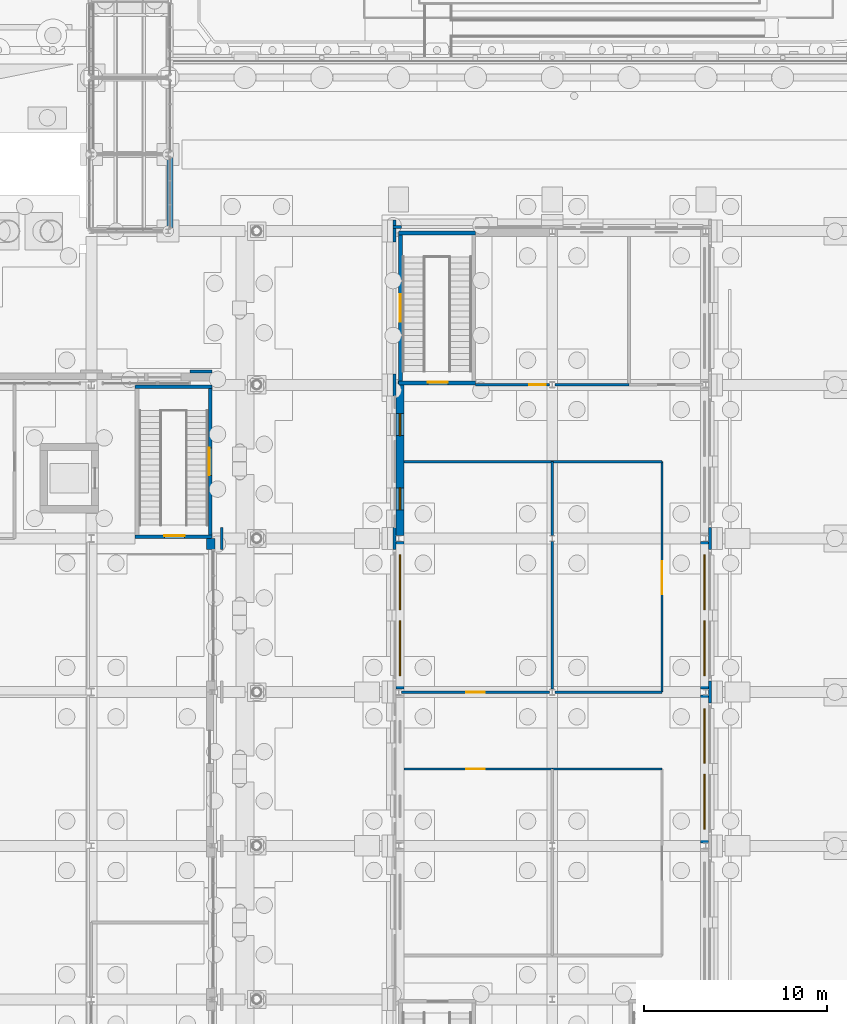
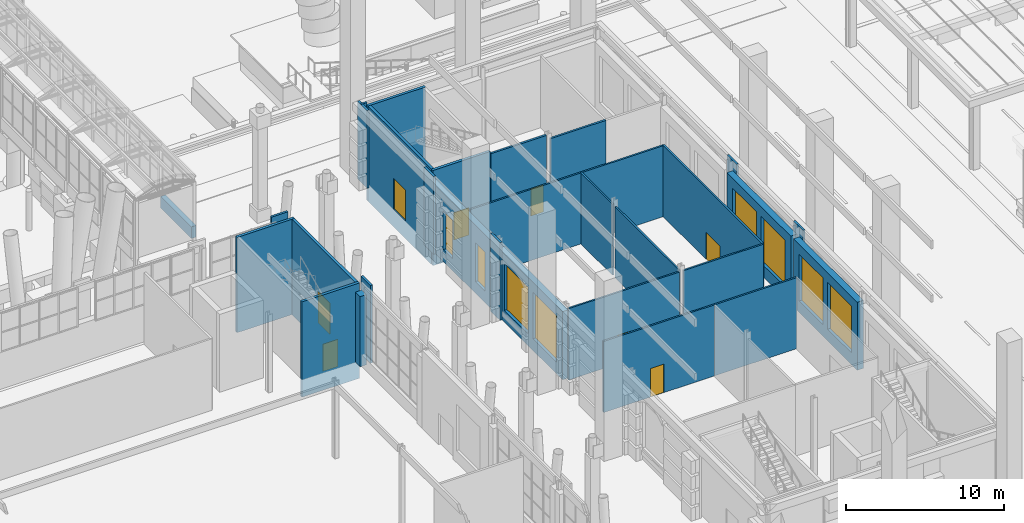
# One storey, part 97 of 222: 31 walls, 8 doors, 8 windows, 16 openings.
"""IFC4 building model written with IfcOpenShell, lengths in metres."""

from ifc_helpers import new_model, si_unit, direction, frame, frame_2d, origin, place, context, subcontext, project, spatial, rectangle, extrude, material, layer, layer_set, type_object, element, fill, save


model = new_model("IFC4")

# Units and contexts
model_context = context("Model", 3, precision=1e-05, world=origin(), true_north=direction((0.0, 1.0)))
body_context = subcontext(model_context, "Body", "Model", "MODEL_VIEW")
ifc_project = project(units=[si_unit("LENGTHUNIT", "METRE"), si_unit("AREAUNIT", "SQUARE_METRE"), si_unit("VOLUMEUNIT", "CUBIC_METRE"), si_unit("PLANEANGLEUNIT", "RADIAN"), si_unit("MASSUNIT", "GRAM", prefix="KILO")], contexts=[model_context])

# Site, building, storey
site_placement = place(None, origin())
site = spatial("IfcSite", under=ifc_project, at=site_placement, CompositionType="ELEMENT")
building_placement = place(site_placement, origin())
building = spatial("IfcBuilding", under=site, at=building_placement, Name="Sava Quay Ferry Terminal", CompositionType="ELEMENT")
storey_placement = place(building_placement, origin())
storey = spatial("IfcBuildingStorey", under=building, at=storey_placement, Name="L00", CompositionType="ELEMENT", Elevation=0.0)

# Walls
ifc_material_1 = material(Name="Limestone Mutalj", Category="masonry")
ifc_layer_1 = layer(ifc_material_1, 0.35009765625)
ifc_layer_set_1 = layer_set([ifc_layer_1], Name="Limestone Mutalj")
wall_type_1 = type_object("IfcWallType", Name="Limestone kerb and parapet 350", PredefinedType="SOLIDWALL", material=ifc_layer_set_1)
wall_1_placement = place(storey_placement, frame((79.89990234375, 109.35009765625, 0.0), z_axis=(0.0, 0.0, 1.0), x_axis=(0.0, 1.0, 0.0)))
element("IfcWall", 1, at=wall_1_placement, inside=storey, type_object=wall_type_1, Name="Gallery kerb", PredefinedType="SOLIDWALL", context=body_context, shape_type="SweptSolid", body=[
    extrude(rectangle(XDim=3.89990234375, YDim=0.35009765625, at=frame_2d((1.949951171875, 0.0))), origin(), (0.0, 0.0, 1.0), 0.89990234375),
])
ifc_material_2 = material(Name="Limestone Mutalj", Category="masonry")
ifc_layer_2 = layer(ifc_material_2, 0.14990234375)
ifc_layer_set_2 = layer_set([ifc_layer_2], Name="Limestone Mutalj")
wall_type_2 = type_object("IfcWallType", Name="Pier cladding 150", PredefinedType="SOLIDWALL", material=ifc_layer_set_2)
for number, where, z_axis, x_axis, name in (
    (2, (92.175048828125, 91.800048828125, 0.0), (0.0, 0.0, 1.0), (0.0, 1.0, 0.0), "Pier O-W grid 92.4"),
    (3, (92.175048828125, 100.199951171875, 0.0), (0.0, 0.0, 1.0), (0.0, 1.0, 0.0), "Pier O-W grid 100.8"),
    (4, (92.175048828125, 108.60009765625, 0.0), (0.0, 0.0, 1.0), (0.0, 1.0, 0.0), "Pier O-W grid 109.2"),
):
    element("IfcWall", number, at=place(storey_placement, frame(where, z_axis=z_axis, x_axis=x_axis)), inside=storey, type_object=wall_type_2, Name=name, PredefinedType="SOLIDWALL", context=body_context, shape_type="SweptSolid", body=[
        extrude(rectangle(XDim=1.199951171875, YDim=0.14990234375, at=frame_2d((0.60009765625, 0.0))), origin(), (0.0, 0.0, 1.0), 6.0),
    ])
wall_2_placement = place(storey_placement, frame((92.10009765625, 109.43505859375, 0.0), z_axis=(0.0, 0.0, 1.0), x_axis=(1.0, 0.0, 0.0)))
element("IfcWall", 5, at=wall_2_placement, inside=storey, type_object=wall_type_2, Name="Pier O-N grid 92.4", PredefinedType="SOLIDWALL", context=body_context, shape_type="SweptSolid", body=[
    extrude(rectangle(XDim=0.449951171875, YDim=0.14990234375, at=frame_2d((0.22509765625, 0.0))), origin(), (0.0, 0.0, 1.0), 6.0),
])
wall_3_placement = place(storey_placement, frame((109.425048828125, 83.39990234375, 0.0), z_axis=(0.0, 0.0, 1.0), x_axis=(0.0, 1.0, 0.0)))
element("IfcWall", 6, at=wall_3_placement, inside=storey, type_object=wall_type_2, Name="Pier O-E grid 84", PredefinedType="SOLIDWALL", context=body_context, shape_type="SweptSolid", body=[
    extrude(rectangle(XDim=1.2001953125, YDim=0.14990234375, at=frame_2d((0.60009765625, 0.0))), origin(), (0.0, 0.0, 1.0), 6.0),
])
for number, where, z_axis, x_axis, name in (
    (7, (109.425048828125, 91.800048828125, 0.0), (0.0, 0.0, 1.0), (0.0, 1.0, 0.0), "Pier O-E grid 92.4"),
    (8, (82.72509765625, 91.800048828125, 0.0), (0.0, 0.0, 1.0), (0.0, 1.0, 0.0), "External wall D"),
    (9, (81.0, 101.52490234375, 0.0), (0.0, 0.0, 1.0), (1.0, 0.0, 0.0), "Pier D-N 81.6"),
):
    element("IfcWall", number, at=place(storey_placement, frame(where, z_axis=z_axis, x_axis=x_axis)), inside=storey, type_object=wall_type_2, Name=name, PredefinedType="SOLIDWALL", context=body_context, shape_type="SweptSolid", body=[
        extrude(rectangle(XDim=1.199951171875, YDim=0.14990234375, at=frame_2d((0.60009765625, 0.0))), origin(), (0.0, 0.0, 1.0), 6.0),
    ])

# Wall, opening, door
ifc_material_3 = material(Name="Masonry blockwork", Category="masonry")
ifc_layer_3 = layer(ifc_material_3, 0.14990234375)
ifc_layer_set_3 = layer_set([ifc_layer_3], Name="Masonry blockwork")
wall_type_3 = type_object("IfcWallType", Name="Plant, store and lobby wall, blockwork 150", PredefinedType="PARTITIONING", material=ifc_layer_set_3)
wall_4_placement = place(storey_placement, frame((96.60009765625, 100.800048828125, 0.0), z_axis=(0.0, 0.0, 1.0), x_axis=(1.0, 0.0, 0.0)))
wall_4 = element("IfcWall", 10, at=wall_4_placement, inside=storey, type_object=wall_type_3, Name="Plant, store and lobby wall, blockwork 150", PredefinedType="PARTITIONING", context=body_context, shape_type="SweptSolid", body=[
    extrude(rectangle(XDim=4.0498046875, YDim=0.14990234375, at=frame_2d((2.02490234375, 0.0))), origin(), (0.0, 0.0, 1.0), 5.8701171875),
])
opening_1_placement = place(wall_4_placement, frame((2.949951171875, 0.0, 0.0)))
opening_1 = element("IfcOpeningElement", 11, at=opening_1_placement, cuts=wall_4, Name="Opening D0029", PredefinedType="OPENING", context=body_context, shape_type="SweptSolid", body=[
    extrude(rectangle(XDim=0.89990234375, YDim=2.10009765625, at=frame_2d((0.449951171875, 1.050048828125))), frame((0.0, 0.074951171875, 0.0), z_axis=(0.0, -1.0, 0.0), x_axis=(1.0, 0.0, 0.0)), (0.0, 0.0, 1.0), 0.14990234375),
])
ifc_material_4 = material(Name="Timber door set", Category="wood")
door_type_1 = type_object("IfcDoorType", Name="Single door 900 x 2100", OperationType="NOTDEFINED", PredefinedType="DOOR", material=ifc_material_4)
door_1_placement = place(opening_1_placement, origin())
door_1 = element("IfcDoor", 12, at=door_1_placement, inside=storey, type_object=door_type_1, Name="Door D0029", OperationType="SINGLE_SWING_LEFT", OverallHeight=2.10009765625, OverallWidth=0.89990234375, PredefinedType="DOOR", context=body_context, shape_type="SweptSolid", body=[
    extrude(rectangle(XDim=0.89990234375, YDim=2.10009765625, at=frame_2d((0.449951171875, 1.050048828125))), frame((0.0, 0.02490234375, 0.0), z_axis=(0.0, -1.0, 0.0), x_axis=(1.0, 0.0, 0.0)), (0.0, 0.0, 1.0), 0.050048828125),
])
fill(opening_1, door_1)

# Wall
wall_5_placement = place(storey_placement, frame((100.949951171875, 100.800048828125, 0.0), z_axis=(0.0, 0.0, 1.0), x_axis=(1.0, 0.0, 0.0)))
element("IfcWall", 13, at=wall_5_placement, inside=storey, type_object=wall_type_3, Name="Plant, store and lobby wall, blockwork 150", PredefinedType="PARTITIONING", context=body_context, shape_type="SweptSolid", body=[
    extrude(rectangle(XDim=4.050048828125, YDim=0.14990234375, at=frame_2d((2.02490234375, 0.0))), origin(), (0.0, 0.0, 1.0), 5.510009765625),
])

# Wall, opening, door
ifc_material_5 = material(Name="Concrete C35/45", Category="concrete")
ifc_layer_4 = layer(ifc_material_5, 0.199951171875)
ifc_layer_set_4 = layer_set([ifc_layer_4], Name="Concrete C35/45")
wall_type_4 = type_object("IfcWallType", Name="RC core wall 200", PredefinedType="SHEAR", material=ifc_layer_set_4)
wall_6_placement = place(storey_placement, frame((78.0, 92.5, -1.35009765625), z_axis=(0.0, 0.0, 1.0), x_axis=(1.0, 0.0, 0.0)))
wall_6 = element("IfcWall", 14, at=wall_6_placement, inside=storey, type_object=wall_type_4, Name="Core wall ST-D6 S L00", PredefinedType="SHEAR", context=body_context, shape_type="SweptSolid", body=[
    extrude(rectangle(XDim=4.199951171875, YDim=0.199951171875, at=frame_2d((2.10009765625, 0.0))), origin(), (0.0, 0.0, 1.0), 7.35009765625),
])
opening_2_placement = place(wall_6_placement, frame((1.60009765625, 0.0, 1.35009765625)))
opening_2 = element("IfcOpeningElement", 15, at=opening_2_placement, cuts=wall_6, Name="Opening DS0009", PredefinedType="OPENING", context=body_context, shape_type="SweptSolid", body=[
    extrude(rectangle(XDim=1.10009765625, YDim=2.10009765625, at=frame_2d((0.550048828125, 1.050048828125))), frame((0.0, 0.10009765625, 0.0), z_axis=(0.0, -1.0, 0.0), x_axis=(1.0, 0.0, 0.0)), (0.0, 0.0, 1.0), 0.199951171875),
])
ifc_material_6 = material(Name="Steel fire door set", Category="steel")
door_type_2 = type_object("IfcDoorType", Name="Stair fire door 1100 x 2100", OperationType="NOTDEFINED", PredefinedType="DOOR", material=ifc_material_6)
door_2_placement = place(opening_2_placement, frame((1.10009765625, 0.050048828125, 0.0), z_axis=(0.0, 0.0, 1.0), x_axis=(-1.0, 0.0, 0.0)))
door_2 = element("IfcDoor", 16, at=door_2_placement, inside=storey, type_object=door_type_2, Name="Door DS0009", OperationType="SINGLE_SWING_RIGHT", OverallHeight=2.10009765625, OverallWidth=1.10009765625, PredefinedType="DOOR", context=body_context, shape_type="SweptSolid", body=[
    extrude(rectangle(XDim=1.10009765625, YDim=2.10009765625, at=frame_2d((0.550048828125, 1.050048828125))), frame((0.0, 0.02490234375, 0.0), z_axis=(0.0, -1.0, 0.0), x_axis=(1.0, 0.0, 0.0)), (0.0, 0.0, 1.0), 0.050048828125),
])
fill(opening_2, door_2)

# Wall
wall_7_placement = place(storey_placement, frame((78.0, 100.699951171875, -1.35009765625), z_axis=(0.0, 0.0, 1.0), x_axis=(1.0, 0.0, 0.0)))
element("IfcWall", 17, at=wall_7_placement, inside=storey, type_object=wall_type_4, Name="Core wall ST-D6 N L00", PredefinedType="SHEAR", context=body_context, shape_type="SweptSolid", body=[
    extrude(rectangle(XDim=4.199951171875, YDim=0.199951171875, at=frame_2d((2.10009765625, 0.0))), origin(), (0.0, 0.0, 1.0), 7.35009765625),
])

# Wall, opening, door
wall_8_placement = place(storey_placement, frame((82.10009765625, 92.60009765625, -1.35009765625), z_axis=(0.0, 0.0, 1.0), x_axis=(0.0, 1.0, 0.0)))
wall_8 = element("IfcWall", 18, at=wall_8_placement, inside=storey, type_object=wall_type_4, Name="Core wall ST-D6 E L00", PredefinedType="SHEAR", context=body_context, shape_type="SweptSolid", body=[
    extrude(rectangle(XDim=8.0, YDim=0.199951171875, at=frame_2d((4.0, 0.0))), origin(), (0.0, 0.0, 1.0), 7.35009765625),
])
opening_3_placement = place(wall_8_placement, frame((3.25, 0.0, 1.35009765625)))
opening_3 = element("IfcOpeningElement", 19, at=opening_3_placement, cuts=wall_8, Name="Opening DX-D4", PredefinedType="OPENING", context=body_context, shape_type="SweptSolid", body=[
    extrude(rectangle(XDim=1.5, YDim=2.39990234375, at=frame_2d((0.75, 1.199951171875))), frame((0.0, 0.10009765625, 0.0), z_axis=(0.0, -1.0, 0.0), x_axis=(1.0, 0.0, 0.0)), (0.0, 0.0, 1.0), 0.199951171875),
])
ifc_material_7 = material(Name="Aluminium bronze anodised, glazing safety laminated", Category="aluminium")
door_type_3 = type_object("IfcDoorType", Name="Exit door 1500x2400", OperationType="DOUBLE_DOOR_SINGLE_SWING", PredefinedType="DOOR", material=ifc_material_7)
door_3_placement = place(opening_3_placement, frame((1.5, 0.050048828125, 0.0), z_axis=(0.0, 0.0, 1.0), x_axis=(-1.0, 0.0, 0.0)))
door_3 = element("IfcDoor", 20, at=door_3_placement, inside=storey, type_object=door_type_3, Name="Door DX-D4", OperationType="DOUBLE_DOOR_SINGLE_SWING", OverallHeight=2.39990234375, OverallWidth=1.5, PredefinedType="DOOR", context=body_context, shape_type="SweptSolid", body=[
    extrude(rectangle(XDim=1.5, YDim=2.39990234375, at=frame_2d((0.75, 1.199951171875))), frame((0.0, 0.02490234375, 0.0), z_axis=(0.0, -1.0, 0.0), x_axis=(1.0, 0.0, 0.0)), (0.0, 0.0, 1.0), 0.050048828125),
])
fill(opening_3, door_3)

wall_9_placement = place(storey_placement, frame((92.39990234375, 100.89990234375, -1.35009765625), z_axis=(0.0, 0.0, 1.0), x_axis=(1.0, 0.0, 0.0)))
wall_9 = element("IfcWall", 21, at=wall_9_placement, inside=storey, type_object=wall_type_4, Name="Core wall ST-O3 S L00", PredefinedType="SHEAR", context=body_context, shape_type="SweptSolid", body=[
    extrude(rectangle(XDim=4.2001953125, YDim=0.199951171875, at=frame_2d((2.10009765625, 0.0))), origin(), (0.0, 0.0, 1.0), 7.35009765625),
])
opening_4_placement = place(wall_9_placement, frame((1.60009765625, 0.0, 1.35009765625)))
opening_4 = element("IfcOpeningElement", 22, at=opening_4_placement, cuts=wall_9, Name="Opening DS0015", PredefinedType="OPENING", context=body_context, shape_type="SweptSolid", body=[
    extrude(rectangle(XDim=1.10009765625, YDim=2.10009765625, at=frame_2d((0.550048828125, 1.050048828125))), frame((0.0, 0.10009765625, 0.0), z_axis=(0.0, -1.0, 0.0), x_axis=(1.0, 0.0, 0.0)), (0.0, 0.0, 1.0), 0.199951171875),
])
door_4_placement = place(opening_4_placement, frame((1.10009765625, 0.050048828125, 0.0), z_axis=(0.0, 0.0, 1.0), x_axis=(-1.0, 0.0, 0.0)))
door_4 = element("IfcDoor", 23, at=door_4_placement, inside=storey, type_object=door_type_2, Name="Door DS0015", OperationType="SINGLE_SWING_RIGHT", OverallHeight=2.10009765625, OverallWidth=1.10009765625, PredefinedType="DOOR", context=body_context, shape_type="SweptSolid", body=[
    extrude(rectangle(XDim=1.10009765625, YDim=2.10009765625, at=frame_2d((0.550048828125, 1.050048828125))), frame((0.0, 0.02490234375, 0.0), z_axis=(0.0, -1.0, 0.0), x_axis=(1.0, 0.0, 0.0)), (0.0, 0.0, 1.0), 0.050048828125),
])
fill(opening_4, door_4)

# Wall
wall_10_placement = place(storey_placement, frame((92.39990234375, 109.10009765625, -1.35009765625), z_axis=(0.0, 0.0, 1.0), x_axis=(1.0, 0.0, 0.0)))
element("IfcWall", 24, at=wall_10_placement, inside=storey, type_object=wall_type_4, Name="Core wall ST-O3 N L00", PredefinedType="SHEAR", context=body_context, shape_type="SweptSolid", body=[
    extrude(rectangle(XDim=4.2001953125, YDim=0.199951171875, at=frame_2d((2.10009765625, 0.0))), origin(), (0.0, 0.0, 1.0), 7.35009765625),
])

# Wall, opening, door
wall_11_placement = place(storey_placement, frame((92.5, 101.0, -1.35009765625), z_axis=(0.0, 0.0, 1.0), x_axis=(0.0, 1.0, 0.0)))
wall_11 = element("IfcWall", 25, at=wall_11_placement, inside=storey, type_object=wall_type_4, Name="Core wall ST-O3 W L00", PredefinedType="SHEAR", context=body_context, shape_type="SweptSolid", body=[
    extrude(rectangle(XDim=8.0, YDim=0.199951171875, at=frame_2d((4.0, 0.0))), origin(), (0.0, 0.0, 1.0), 7.35009765625),
])
opening_5_placement = place(wall_11_placement, frame((3.25, 0.0, 1.35009765625)))
opening_5 = element("IfcOpeningElement", 26, at=opening_5_placement, cuts=wall_11, Name="Opening DX-O3", PredefinedType="OPENING", context=body_context, shape_type="SweptSolid", body=[
    extrude(rectangle(XDim=1.5, YDim=2.39990234375, at=frame_2d((0.75, 1.199951171875))), frame((0.0, 0.10009765625, 0.0), z_axis=(0.0, -1.0, 0.0), x_axis=(1.0, 0.0, 0.0)), (0.0, 0.0, 1.0), 0.199951171875),
])
door_5_placement = place(opening_5_placement, origin())
door_5 = element("IfcDoor", 27, at=door_5_placement, inside=storey, type_object=door_type_3, Name="Door DX-O3", OperationType="DOUBLE_DOOR_SINGLE_SWING", OverallHeight=2.39990234375, OverallWidth=1.5, PredefinedType="DOOR", context=body_context, shape_type="SweptSolid", body=[
    extrude(rectangle(XDim=1.5, YDim=2.39990234375, at=frame_2d((0.75, 1.199951171875))), frame((0.0, 0.02490234375, 0.0), z_axis=(0.0, -1.0, 0.0), x_axis=(1.0, 0.0, 0.0)), (0.0, 0.0, 1.0), 0.050048828125),
])
fill(opening_5, door_5)

ifc_material_8 = material(Name="Plasterboard on steel studs", Category="steel")
ifc_layer_5 = layer(ifc_material_8, 0.125)
ifc_layer_set_5 = layer_set([ifc_layer_5], Name="Plasterboard on steel studs")
wall_type_5 = type_object("IfcWallType", Name="Room partition, plasterboard on steel studs 125", PredefinedType="PARTITIONING", material=ifc_layer_set_5)
wall_12_placement = place(storey_placement, frame((92.700439453125, 79.800048828125, 0.0), z_axis=(0.0, 0.0, 1.0), x_axis=(1.0, 0.0, 0.0)))
wall_12 = element("IfcWall", 28, at=wall_12_placement, inside=storey, type_object=wall_type_5, Name="Room partition, plasterboard on steel studs 125", PredefinedType="PARTITIONING", context=body_context, shape_type="SweptSolid", body=[
    extrude(rectangle(XDim=8.099609375, YDim=0.125, at=frame_2d((4.0498046875, 0.0))), origin(), (0.0, 0.0, 1.0), 5.47998046875),
])
opening_6_placement = place(wall_12_placement, frame((3.3994140625, 0.0, 0.0)))
opening_6 = element("IfcOpeningElement", 29, at=opening_6_placement, cuts=wall_12, Name="Opening D0025", PredefinedType="OPENING", context=body_context, shape_type="SweptSolid", body=[
    extrude(rectangle(XDim=1.0, YDim=2.199951171875, at=frame_2d((0.5, 1.10009765625))), frame((0.0, 0.0625, 0.0), z_axis=(0.0, -1.0, 0.0), x_axis=(1.0, 0.0, 0.0)), (0.0, 0.0, 1.0), 0.125),
])
ifc_material_9 = material(Name="Timber door set", Category="wood")
door_type_4 = type_object("IfcDoorType", Name="Single door 1000 x 2200", OperationType="NOTDEFINED", PredefinedType="DOOR", material=ifc_material_9)
door_6_placement = place(opening_6_placement, origin())
door_6 = element("IfcDoor", 30, at=door_6_placement, inside=storey, type_object=door_type_4, Name="Door D0025", OperationType="SINGLE_SWING_RIGHT", OverallHeight=2.199951171875, OverallWidth=1.0, PredefinedType="DOOR", context=body_context, shape_type="SweptSolid", body=[
    extrude(rectangle(XDim=1.0, YDim=2.199951171875, at=frame_2d((0.5, 1.10009765625))), frame((0.0, 0.02490234375, 0.0), z_axis=(0.0, -1.0, 0.0), x_axis=(1.0, 0.0, 0.0)), (0.0, 0.0, 1.0), 0.050048828125),
])
fill(opening_6, door_6)

# Wall
wall_13_placement = place(storey_placement, frame((100.800048828125, 79.800048828125, 0.0), z_axis=(0.0, 0.0, 1.0), x_axis=(1.0, 0.0, 0.0)))
element("IfcWall", 31, at=wall_13_placement, inside=storey, type_object=wall_type_5, Name="Room partition, plasterboard on steel studs 125", PredefinedType="PARTITIONING", context=body_context, shape_type="SweptSolid", body=[
    extrude(rectangle(XDim=6.0, YDim=0.125, at=frame_2d((3.0, 0.0))), origin(), (0.0, 0.0, 1.0), 5.47998046875),
])

# Wall, opening, door
wall_14_placement = place(storey_placement, frame((92.550048828125, 84.0, 0.0), z_axis=(0.0, 0.0, 1.0), x_axis=(1.0, 0.0, 0.0)))
wall_14 = element("IfcWall", 32, at=wall_14_placement, inside=storey, type_object=wall_type_5, Name="Room partition, plasterboard on steel studs 125", PredefinedType="PARTITIONING", context=body_context, shape_type="SweptSolid", body=[
    extrude(rectangle(XDim=8.099853515625, YDim=0.125, at=frame_2d((4.0498046875, 0.0))), origin(), (0.0, 0.0, 1.0), 5.510009765625),
])
opening_7_placement = place(wall_14_placement, frame((3.550048828125, 0.0, 0.0)))
opening_7 = element("IfcOpeningElement", 33, at=opening_7_placement, cuts=wall_14, Name="Opening D0027", PredefinedType="OPENING", context=body_context, shape_type="SweptSolid", body=[
    extrude(rectangle(XDim=1.0, YDim=2.199951171875, at=frame_2d((0.5, 1.10009765625))), frame((0.0, 0.0625, 0.0), z_axis=(0.0, -1.0, 0.0), x_axis=(1.0, 0.0, 0.0)), (0.0, 0.0, 1.0), 0.125),
])
door_7_placement = place(opening_7_placement, origin())
door_7 = element("IfcDoor", 34, at=door_7_placement, inside=storey, type_object=door_type_4, Name="Door D0027", OperationType="SINGLE_SWING_RIGHT", OverallHeight=2.199951171875, OverallWidth=1.0, PredefinedType="DOOR", context=body_context, shape_type="SweptSolid", body=[
    extrude(rectangle(XDim=1.0, YDim=2.199951171875, at=frame_2d((0.5, 1.10009765625))), frame((0.0, 0.02490234375, 0.0), z_axis=(0.0, -1.0, 0.0), x_axis=(1.0, 0.0, 0.0)), (0.0, 0.0, 1.0), 0.050048828125),
])
fill(opening_7, door_7)

# Walls
wall_15_placement = place(storey_placement, frame((92.700439453125, 96.60009765625, 0.0), z_axis=(0.0, 0.0, 1.0), x_axis=(1.0, 0.0, 0.0)))
element("IfcWall", 35, at=wall_15_placement, inside=storey, type_object=wall_type_5, Name="Room partition, plasterboard on steel studs 125", PredefinedType="PARTITIONING", context=body_context, shape_type="SweptSolid", body=[
    extrude(rectangle(XDim=8.099609375, YDim=0.125, at=frame_2d((4.0498046875, 0.0))), origin(), (0.0, 0.0, 1.0), 5.47998046875),
])
wall_16_placement = place(storey_placement, frame((100.949951171875, 84.0, 0.0), z_axis=(0.0, 0.0, 1.0), x_axis=(1.0, 0.0, 0.0)))
element("IfcWall", 36, at=wall_16_placement, inside=storey, type_object=wall_type_5, Name="Room partition, plasterboard on steel studs 125", PredefinedType="PARTITIONING", context=body_context, shape_type="SweptSolid", body=[
    extrude(rectangle(XDim=5.85009765625, YDim=0.125, at=frame_2d((2.925048828125, 0.0))), origin(), (0.0, 0.0, 1.0), 5.510009765625),
])
wall_17_placement = place(storey_placement, frame((100.800048828125, 96.60009765625, 0.0), z_axis=(0.0, 0.0, 1.0), x_axis=(1.0, 0.0, 0.0)))
element("IfcWall", 37, at=wall_17_placement, inside=storey, type_object=wall_type_5, Name="Room partition, plasterboard on steel studs 125", PredefinedType="PARTITIONING", context=body_context, shape_type="SweptSolid", body=[
    extrude(rectangle(XDim=6.0, YDim=0.125, at=frame_2d((3.0, 0.0))), origin(), (0.0, 0.0, 1.0), 5.47998046875),
])

# Wall, opening, door
wall_18_placement = place(storey_placement, frame((106.800048828125, 84.0, 0.0), z_axis=(0.0, 0.0, 1.0), x_axis=(0.0, 1.0, 0.0)))
wall_18 = element("IfcWall", 38, at=wall_18_placement, inside=storey, type_object=wall_type_5, Name="Room partition, plasterboard on steel studs 125", PredefinedType="PARTITIONING", context=body_context, shape_type="SweptSolid", body=[
    extrude(rectangle(XDim=12.60009765625, YDim=0.125, at=frame_2d((6.300048828125, 0.0))), origin(), (0.0, 0.0, 1.0), 5.510009765625),
])
opening_8_placement = place(wall_18_placement, frame((5.35009765625, 0.0, 0.0)))
opening_8 = element("IfcOpeningElement", 39, at=opening_8_placement, cuts=wall_18, Name="Opening D0028", PredefinedType="OPENING", context=body_context, shape_type="SweptSolid", body=[
    extrude(rectangle(XDim=1.800048828125, YDim=2.10009765625, at=frame_2d((0.89990234375, 1.050048828125))), frame((0.0, 0.0625, 0.0), z_axis=(0.0, -1.0, 0.0), x_axis=(1.0, 0.0, 0.0)), (0.0, 0.0, 1.0), 0.125),
])
ifc_material_10 = material(Name="Timber door set", Category="wood")
door_type_5 = type_object("IfcDoorType", Name="Double door 1800 x 2100", OperationType="NOTDEFINED", PredefinedType="DOOR", material=ifc_material_10)
door_8_placement = place(opening_8_placement, origin())
door_8 = element("IfcDoor", 40, at=door_8_placement, inside=storey, type_object=door_type_5, Name="Door D0028", OperationType="DOUBLE_DOOR_DOUBLE_SWING", OverallHeight=2.10009765625, OverallWidth=1.800048828125, PredefinedType="DOOR", context=body_context, shape_type="SweptSolid", body=[
    extrude(rectangle(XDim=1.800048828125, YDim=2.10009765625, at=frame_2d((0.89990234375, 1.050048828125))), frame((0.0, 0.02490234375, 0.0), z_axis=(0.0, -1.0, 0.0), x_axis=(1.0, 0.0, 0.0)), (0.0, 0.0, 1.0), 0.050048828125),
])
fill(opening_8, door_8)

# Walls
wall_19_placement = place(storey_placement, frame((100.800048828125, 84.159912109375, 0.0), z_axis=(0.0, 0.0, 1.0), x_axis=(0.0, 1.0, 0.0)))
element("IfcWall", 41, at=wall_19_placement, inside=storey, type_object=wall_type_5, Name="Room partition, plasterboard on steel studs 125", PredefinedType="PARTITIONING", context=body_context, shape_type="SweptSolid", body=[
    extrude(rectangle(XDim=8.080078125, YDim=0.125, at=frame_2d((4.0400390625, 0.0))), origin(), (0.0, 0.0, 1.0), 5.47998046875),
])
wall_20_placement = place(storey_placement, frame((100.800048828125, 92.56005859375, 0.0), z_axis=(0.0, 0.0, 1.0), x_axis=(0.0, 1.0, 0.0)))
element("IfcWall", 42, at=wall_20_placement, inside=storey, type_object=wall_type_5, Name="Room partition, plasterboard on steel studs 125", PredefinedType="PARTITIONING", context=body_context, shape_type="SweptSolid", body=[
    extrude(rectangle(XDim=4.0400390625, YDim=0.125, at=frame_2d((2.02001953125, 0.0))), origin(), (0.0, 0.0, 1.0), 5.47998046875),
])

# Wall, openings, windows
ifc_material_11 = material(Name="Limestone Mutalj", Category="masonry")
ifc_layer_6 = layer(ifc_material_11, 0.449951171875)
ifc_layer_set_6 = layer_set([ifc_layer_6], Name="Limestone Mutalj")
wall_type_6 = type_object("IfcWallType", Name="Rusticated limestone infill 450", PredefinedType="SOLIDWALL", material=ifc_layer_set_6)
wall_21_placement = place(storey_placement, frame((92.47509765625, 84.159912109375, 0.0), z_axis=(0.0, 0.0, 1.0), x_axis=(0.0, 1.0, 0.0)))
wall_21 = element("IfcWall", 43, at=wall_21_placement, inside=storey, type_object=wall_type_6, Name="External wall O-W", PredefinedType="SOLIDWALL", context=body_context, shape_type="SweptSolid", body=[
    extrude(rectangle(XDim=8.080078125, YDim=0.449951171875, at=frame_2d((4.0400390625, 0.0))), origin(), (0.0, 0.0, 1.0), 5.25),
])
opening_9_placement = place(wall_21_placement, frame((0.739990234375, 0.0, 0.89990234375)))
opening_9 = element("IfcOpeningElement", 44, at=opening_9_placement, cuts=wall_21, Name="Opening W-A", PredefinedType="OPENING", context=body_context, shape_type="SweptSolid", body=[
    extrude(rectangle(XDim=3.0, YDim=3.60009765625, at=frame_2d((1.5, 1.800048828125))), frame((0.0, 0.22509765625, 0.0), z_axis=(0.0, -1.0, 0.0), x_axis=(1.0, 0.0, 0.0)), (0.0, 0.0, 1.0), 0.449951171875),
])
opening_10_placement = place(wall_21_placement, frame((4.340087890625, 0.0, 0.89990234375)))
opening_10 = element("IfcOpeningElement", 45, at=opening_10_placement, cuts=wall_21, Name="Opening W-A", PredefinedType="OPENING", context=body_context, shape_type="SweptSolid", body=[
    extrude(rectangle(XDim=3.0, YDim=3.60009765625, at=frame_2d((1.5, 1.800048828125))), frame((0.0, 0.22509765625, 0.0), z_axis=(0.0, -1.0, 0.0), x_axis=(1.0, 0.0, 0.0)), (0.0, 0.0, 1.0), 0.449951171875),
])
ifc_material_12 = material(Name="Aluminium bronze anodised frame, glazing double low-e Ug 1.1", Category="aluminium")
window_type_1 = type_object("IfcWindowType", Name="Tall ordered window 3000x3600", PartitioningType="SINGLE_PANEL", PredefinedType="WINDOW", material=ifc_material_12)
window_1_placement = place(opening_9_placement, origin())
window_1 = element("IfcWindow", 46, at=window_1_placement, inside=storey, type_object=window_type_1, Name="Window W-A", OverallHeight=3.60009765625, OverallWidth=3.0, PartitioningType="SINGLE_PANEL", PredefinedType="WINDOW", context=body_context, shape_type="SweptSolid", body=[
    extrude(rectangle(XDim=3.0, YDim=3.60009765625, at=frame_2d((1.5, 1.800048828125))), frame((0.0, 0.030029296875, 0.0), z_axis=(0.0, -1.0, 0.0), x_axis=(1.0, 0.0, 0.0)), (0.0, 0.0, 1.0), 0.06005859375),
])
fill(opening_9, window_1)
window_2_placement = place(opening_10_placement, origin())
window_2 = element("IfcWindow", 47, at=window_2_placement, inside=storey, type_object=window_type_1, Name="Window W-A", OverallHeight=3.60009765625, OverallWidth=3.0, PartitioningType="SINGLE_PANEL", PredefinedType="WINDOW", context=body_context, shape_type="SweptSolid", body=[
    extrude(rectangle(XDim=3.0, YDim=3.60009765625, at=frame_2d((1.5, 1.800048828125))), frame((0.0, 0.030029296875, 0.0), z_axis=(0.0, -1.0, 0.0), x_axis=(1.0, 0.0, 0.0)), (0.0, 0.0, 1.0), 0.06005859375),
])
fill(opening_10, window_2)

wall_22_placement = place(storey_placement, frame((92.47509765625, 92.56005859375, 0.0), z_axis=(0.0, 0.0, 1.0), x_axis=(0.0, 1.0, 0.0)))
wall_22 = element("IfcWall", 48, at=wall_22_placement, inside=storey, type_object=wall_type_6, Name="External wall O-W", PredefinedType="SOLIDWALL", context=body_context, shape_type="SweptSolid", body=[
    extrude(rectangle(XDim=8.43994140625, YDim=0.449951171875, at=frame_2d((4.219970703125, 0.0))), origin(), (0.0, 0.0, 1.0), 5.25),
])
opening_11_placement = place(wall_22_placement, frame((1.40869140625, 0.0, 0.89990234375)))
opening_11 = element("IfcOpeningElement", 49, at=opening_11_placement, cuts=wall_22, Name="Opening W-E1", PredefinedType="OPENING", context=body_context, shape_type="SweptSolid", body=[
    extrude(rectangle(XDim=1.199951171875, YDim=3.0, at=frame_2d((0.60009765625, 1.5))), frame((0.0, 0.22509765625, 0.0), z_axis=(0.0, -1.0, 0.0), x_axis=(1.0, 0.0, 0.0)), (0.0, 0.0, 1.0), 0.449951171875),
])
opening_12_placement = place(wall_22_placement, frame((5.47119140625, 0.0, 0.89990234375)))
opening_12 = element("IfcOpeningElement", 50, at=opening_12_placement, cuts=wall_22, Name="Opening W-E1", PredefinedType="OPENING", context=body_context, shape_type="SweptSolid", body=[
    extrude(rectangle(XDim=1.199951171875, YDim=3.0, at=frame_2d((0.60009765625, 1.5))), frame((0.0, 0.22509765625, 0.0), z_axis=(0.0, -1.0, 0.0), x_axis=(1.0, 0.0, 0.0)), (0.0, 0.0, 1.0), 0.449951171875),
])
ifc_material_13 = material(Name="Aluminium bronze anodised frame, glazing double low-e Ug 1.1", Category="aluminium")
window_type_2 = type_object("IfcWindowType", Name="Entrance sidelight 1200x3000", PartitioningType="SINGLE_PANEL", PredefinedType="WINDOW", material=ifc_material_13)
window_3_placement = place(opening_11_placement, origin())
window_3 = element("IfcWindow", 51, at=window_3_placement, inside=storey, type_object=window_type_2, Name="Window W-E1", OverallHeight=3.0, OverallWidth=1.199951171875, PartitioningType="SINGLE_PANEL", PredefinedType="WINDOW", context=body_context, shape_type="SweptSolid", body=[
    extrude(rectangle(XDim=1.199951171875, YDim=3.0, at=frame_2d((0.60009765625, 1.5))), frame((0.0, 0.030029296875, 0.0), z_axis=(0.0, -1.0, 0.0), x_axis=(1.0, 0.0, 0.0)), (0.0, 0.0, 1.0), 0.06005859375),
])
fill(opening_11, window_3)
window_4_placement = place(opening_12_placement, origin())
window_4 = element("IfcWindow", 52, at=window_4_placement, inside=storey, type_object=window_type_2, Name="Window W-E1", OverallHeight=3.0, OverallWidth=1.199951171875, PartitioningType="SINGLE_PANEL", PredefinedType="WINDOW", context=body_context, shape_type="SweptSolid", body=[
    extrude(rectangle(XDim=1.199951171875, YDim=3.0, at=frame_2d((0.60009765625, 1.5))), frame((0.0, 0.030029296875, 0.0), z_axis=(0.0, -1.0, 0.0), x_axis=(1.0, 0.0, 0.0)), (0.0, 0.0, 1.0), 0.06005859375),
])
fill(opening_12, window_4)

wall_23_placement = place(storey_placement, frame((109.125, 75.760009765625, 0.0), z_axis=(0.0, 0.0, 1.0), x_axis=(0.0, 1.0, 0.0)))
wall_23 = element("IfcWall", 53, at=wall_23_placement, inside=storey, type_object=wall_type_6, Name="External wall O-E", PredefinedType="SOLIDWALL", context=body_context, shape_type="SweptSolid", body=[
    extrude(rectangle(XDim=8.080078125, YDim=0.449951171875, at=frame_2d((4.0400390625, 0.0))), origin(), (0.0, 0.0, 1.0), 5.25),
])
opening_13_placement = place(wall_23_placement, frame((0.739990234375, 0.0, 0.89990234375)))
opening_13 = element("IfcOpeningElement", 54, at=opening_13_placement, cuts=wall_23, Name="Opening W-A", PredefinedType="OPENING", context=body_context, shape_type="SweptSolid", body=[
    extrude(rectangle(XDim=3.0, YDim=3.60009765625, at=frame_2d((1.5, 1.800048828125))), frame((0.0, 0.22509765625, 0.0), z_axis=(0.0, -1.0, 0.0), x_axis=(1.0, 0.0, 0.0)), (0.0, 0.0, 1.0), 0.449951171875),
])
opening_14_placement = place(wall_23_placement, frame((4.340087890625, 0.0, 0.89990234375)))
opening_14 = element("IfcOpeningElement", 55, at=opening_14_placement, cuts=wall_23, Name="Opening W-A", PredefinedType="OPENING", context=body_context, shape_type="SweptSolid", body=[
    extrude(rectangle(XDim=3.0, YDim=3.60009765625, at=frame_2d((1.5, 1.800048828125))), frame((0.0, 0.22509765625, 0.0), z_axis=(0.0, -1.0, 0.0), x_axis=(1.0, 0.0, 0.0)), (0.0, 0.0, 1.0), 0.449951171875),
])
window_5_placement = place(opening_13_placement, origin())
window_5 = element("IfcWindow", 56, at=window_5_placement, inside=storey, type_object=window_type_1, Name="Window W-A", OverallHeight=3.60009765625, OverallWidth=3.0, PartitioningType="SINGLE_PANEL", PredefinedType="WINDOW", context=body_context, shape_type="SweptSolid", body=[
    extrude(rectangle(XDim=3.0, YDim=3.60009765625, at=frame_2d((1.5, 1.800048828125))), frame((0.0, 0.030029296875, 0.0), z_axis=(0.0, -1.0, 0.0), x_axis=(1.0, 0.0, 0.0)), (0.0, 0.0, 1.0), 0.06005859375),
])
fill(opening_13, window_5)
window_6_placement = place(opening_14_placement, origin())
window_6 = element("IfcWindow", 57, at=window_6_placement, inside=storey, type_object=window_type_1, Name="Window W-A", OverallHeight=3.60009765625, OverallWidth=3.0, PartitioningType="SINGLE_PANEL", PredefinedType="WINDOW", context=body_context, shape_type="SweptSolid", body=[
    extrude(rectangle(XDim=3.0, YDim=3.60009765625, at=frame_2d((1.5, 1.800048828125))), frame((0.0, 0.030029296875, 0.0), z_axis=(0.0, -1.0, 0.0), x_axis=(1.0, 0.0, 0.0)), (0.0, 0.0, 1.0), 0.06005859375),
])
fill(opening_14, window_6)

wall_24_placement = place(storey_placement, frame((109.125, 84.159912109375, 0.0), z_axis=(0.0, 0.0, 1.0), x_axis=(0.0, 1.0, 0.0)))
wall_24 = element("IfcWall", 58, at=wall_24_placement, inside=storey, type_object=wall_type_6, Name="External wall O-E", PredefinedType="SOLIDWALL", context=body_context, shape_type="SweptSolid", body=[
    extrude(rectangle(XDim=8.080078125, YDim=0.449951171875, at=frame_2d((4.0400390625, 0.0))), origin(), (0.0, 0.0, 1.0), 5.25),
])
opening_15_placement = place(wall_24_placement, frame((0.739990234375, 0.0, 0.89990234375)))
opening_15 = element("IfcOpeningElement", 59, at=opening_15_placement, cuts=wall_24, Name="Opening W-A", PredefinedType="OPENING", context=body_context, shape_type="SweptSolid", body=[
    extrude(rectangle(XDim=3.0, YDim=3.60009765625, at=frame_2d((1.5, 1.800048828125))), frame((0.0, 0.22509765625, 0.0), z_axis=(0.0, -1.0, 0.0), x_axis=(1.0, 0.0, 0.0)), (0.0, 0.0, 1.0), 0.449951171875),
])
opening_16_placement = place(wall_24_placement, frame((4.340087890625, 0.0, 0.89990234375)))
opening_16 = element("IfcOpeningElement", 60, at=opening_16_placement, cuts=wall_24, Name="Opening W-A", PredefinedType="OPENING", context=body_context, shape_type="SweptSolid", body=[
    extrude(rectangle(XDim=3.0, YDim=3.60009765625, at=frame_2d((1.5, 1.800048828125))), frame((0.0, 0.22509765625, 0.0), z_axis=(0.0, -1.0, 0.0), x_axis=(1.0, 0.0, 0.0)), (0.0, 0.0, 1.0), 0.449951171875),
])
window_7_placement = place(opening_15_placement, origin())
window_7 = element("IfcWindow", 61, at=window_7_placement, inside=storey, type_object=window_type_1, Name="Window W-A", OverallHeight=3.60009765625, OverallWidth=3.0, PartitioningType="SINGLE_PANEL", PredefinedType="WINDOW", context=body_context, shape_type="SweptSolid", body=[
    extrude(rectangle(XDim=3.0, YDim=3.60009765625, at=frame_2d((1.5, 1.800048828125))), frame((0.0, 0.030029296875, 0.0), z_axis=(0.0, -1.0, 0.0), x_axis=(1.0, 0.0, 0.0)), (0.0, 0.0, 1.0), 0.06005859375),
])
fill(opening_15, window_7)
window_8_placement = place(opening_16_placement, origin())
window_8 = element("IfcWindow", 62, at=window_8_placement, inside=storey, type_object=window_type_1, Name="Window W-A", OverallHeight=3.60009765625, OverallWidth=3.0, PartitioningType="SINGLE_PANEL", PredefinedType="WINDOW", context=body_context, shape_type="SweptSolid", body=[
    extrude(rectangle(XDim=3.0, YDim=3.60009765625, at=frame_2d((1.5, 1.800048828125))), frame((0.0, 0.030029296875, 0.0), z_axis=(0.0, -1.0, 0.0), x_axis=(1.0, 0.0, 0.0)), (0.0, 0.0, 1.0), 0.06005859375),
])
fill(opening_16, window_8)

# Wall
wall_25_placement = place(storey_placement, frame((82.125, 91.800048828125, 0.0), z_axis=(0.0, 0.0, 1.0), x_axis=(0.0, 1.0, 0.0)))
element("IfcWall", 63, at=wall_25_placement, inside=storey, type_object=wall_type_6, Name="External wall D", PredefinedType="SOLIDWALL", context=body_context, shape_type="SweptSolid", body=[
    extrude(rectangle(XDim=0.599853515625, YDim=0.449951171875, at=frame_2d((0.2998046875, 0.0))), origin(), (0.0, 0.0, 1.0), 5.39990234375),
])

save(model, "model.ifc")
